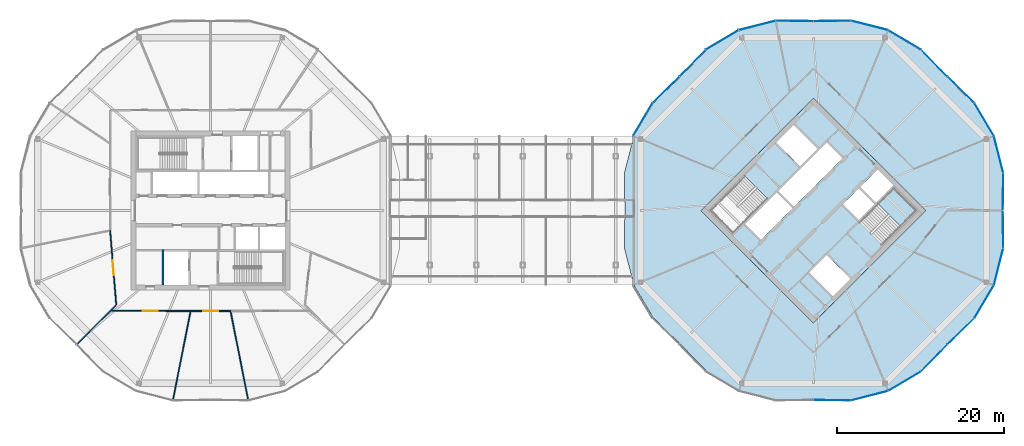
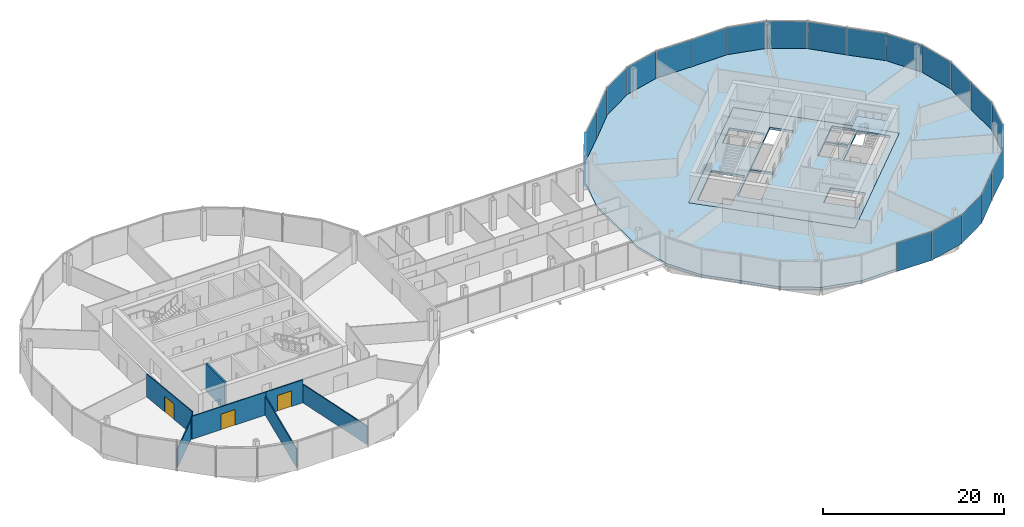
# One storey, part 19 of 26: 22 plates, 7 walls, 3 doors, 3 slabs, 3 openings, 7 elements without a shape of their own.
"""IFC4 building model written with IfcOpenShell, lengths in metres."""

from ifc_helpers import new_model, si_unit, direction, frame, frame_2d, origin, origin_2d, place, context, subcontext, project, spatial, polyline, rectangle, outline, extrude, material, layer, layer_set, type_object, element, fill, aggregate, save


model = new_model("IFC4")

# Units and contexts
model_context = context("Model", 3, precision=1e-05, world=origin(), true_north=direction((0.0, 1.0)))
body_context = subcontext(model_context, "Body", "Model", "MODEL_VIEW")
ifc_project = project(units=[si_unit("LENGTHUNIT", "METRE"), si_unit("AREAUNIT", "SQUARE_METRE"), si_unit("VOLUMEUNIT", "CUBIC_METRE"), si_unit("PLANEANGLEUNIT", "RADIAN"), si_unit("MASSUNIT", "GRAM", prefix="KILO")], contexts=[model_context])

# Site, building, storey
site_placement = place(None, origin())
site = spatial("IfcSite", under=ifc_project, at=site_placement, CompositionType="ELEMENT")
building_placement = place(site_placement, origin())
building = spatial("IfcBuilding", under=site, at=building_placement, Name="Ogive Gate Towers", CompositionType="ELEMENT")
storey_placement = place(building_placement, frame((0.0, 0.0, 148.800048828125)))
storey = spatial("IfcBuildingStorey", under=building, at=storey_placement, Name="L35", CompositionType="ELEMENT", Elevation=148.800048828125)

# Slabs
ifc_material_1 = material(Name="Concrete C40/50", Category="concrete")
ifc_layer_1 = layer(ifc_material_1, 0.300048828125)
ifc_layer_set_1 = layer_set([ifc_layer_1], Name="Core slab C40/50 300 mm")
slab_type_1 = type_object("IfcSlabType", Name="Core slab C40/50 300 mm", PredefinedType="FLOOR", material=ifc_layer_set_1)
slab_1_placement = place(storey_placement, frame((0.0, 0.0, -0.300048828125)))
element("IfcSlab", 1, at=slab_1_placement, inside=storey, type_object=slab_type_1, Name="T2 L35 core slab", PredefinedType="FLOOR", context=body_context, shape_type="SweptSolid", body=[
    extrude(outline(polyline([(36.0, -13.43505859375), (22.56494140625, 0.0), (36.0, 13.43505859375), (49.43505859375, 0.0), (36.0, -13.43505859375)]), holes=[polyline([(29.759765625, -3.482421875), (33.50732421875, 0.26513671875), (31.615966796875, 2.15673828125), (27.868408203125, -1.591064453125), (29.759765625, -3.482421875)]), polyline([(31.792724609375, 2.33349609375), (33.68408203125, 0.44189453125), (39.482421875, 6.240234375), (37.591064453125, 8.131591796875), (31.792724609375, 2.33349609375)]), polyline([(41.3916015625, 2.634033203125), (39.517822265625, 0.760009765625), (41.409423828125, -1.13134765625), (43.283203125, 0.742431640625), (41.3916015625, 2.634033203125)]), polyline([(45.563720703125, 3.02294921875), (43.672119140625, 4.914306640625), (41.568603515625, 2.810791015625), (43.4599609375, 0.919189453125), (45.563720703125, 3.02294921875)]), polyline([(34.408935546875, 5.30322265625), (36.4951171875, 7.389404296875), (33.64892578125, 10.2353515625), (31.56298828125, 8.1494140625), (34.408935546875, 5.30322265625)]), polyline([(35.5048828125, -7.389404296875), (38.35107421875, -10.2353515625), (40.43701171875, -8.1494140625), (37.591064453125, -5.30322265625), (35.5048828125, -7.389404296875)]), polyline([(26.40087890625, -2.70458984375), (30.512939453125, 1.406982421875), (27.80810546875, 4.11181640625), (23.6962890625, 0.0), (26.40087890625, -2.70458984375)]), polyline([(48.3037109375, 0.0), (45.59912109375, 2.70458984375), (41.487060546875, -1.406982421875), (44.19189453125, -4.11181640625), (48.3037109375, 0.0)])]), origin(), (0.0, 0.0, 1.0), 0.300048828125),
])
ifc_material_2 = material(Name="Concrete C35/45", Category="concrete")
ifc_layer_2 = layer(ifc_material_2, 0.300048828125)
ifc_layer_set_2 = layer_set([ifc_layer_2], Name="Floor slab 300")
slab_type_2 = type_object("IfcSlabType", Name="Floor slab 300", PredefinedType="FLOOR", material=ifc_layer_set_2)
slab_2_placement = place(storey_placement, frame((0.0, 0.0, -0.300048828125)))
element("IfcSlab", 2, at=slab_2_placement, inside=storey, type_object=slab_type_2, Name="T2/L35/SSL001", PredefinedType="FLOOR", context=body_context, shape_type="SweptSolid", body=[
    extrude(outline(polyline([(58.57763671875, -4.490966796875), (58.52001953125, 0.0), (58.57763671875, 4.490966796875), (57.452392578125, 8.885986328125), (55.140380859375, 12.789306640625), (51.924072265625, 15.924072265625), (48.789306640625, 19.140380859375), (44.885986328125, 21.452392578125), (40.490966796875, 22.57763671875), (36.0, 22.52001953125), (31.509033203125, 22.57763671875), (27.114013671875, 21.452392578125), (23.210693359375, 19.140380859375), (20.075927734375, 15.924072265625), (16.859619140625, 12.789306640625), (14.547607421875, 8.885986328125), (13.42236328125, 4.490966796875), (13.47998046875, 0.0), (13.42236328125, -4.490966796875), (14.547607421875, -8.885986328125), (16.859619140625, -12.789306640625), (20.075927734375, -15.924072265625), (23.210693359375, -19.140380859375), (27.114013671875, -21.452392578125), (31.509033203125, -22.57763671875), (36.0, -22.52001953125), (40.490966796875, -22.57763671875), (44.885986328125, -21.452392578125), (48.789306640625, -19.140380859375), (51.924072265625, -15.924072265625), (55.140380859375, -12.789306640625), (57.452392578125, -8.885986328125), (58.57763671875, -4.490966796875)]), holes=[polyline([(49.43505859375, 0.0), (36.0, -13.43505859375), (22.56494140625, 0.0), (36.0, 13.43505859375), (49.43505859375, 0.0)])]), origin(), (0.0, 0.0, 1.0), 0.300048828125),
])

# Stair, slab
stair_type = type_object("IfcStairType", Name="Escape stair 1840 wide", PredefinedType="HALF_TURN_STAIR", material=ifc_material_1)
stair_placement = place(storey_placement, origin())
stair = element("IfcStair", 3, at=stair_placement, inside=storey, type_object=stair_type, Name="L35 Escape stair 2", PredefinedType="HALF_TURN_STAIR")
ifc_layer_3 = layer(ifc_material_1, 0.199951171875)
ifc_layer_set_3 = layer_set([ifc_layer_3], Name="Stair landing 200 mm")
slab_type_3 = type_object("IfcSlabType", Name="Stair landing 200 mm", PredefinedType="LANDING", material=ifc_layer_set_3)
slab_3_placement = place(storey_placement, frame((0.0, 0.0, 1.800048828125)))
slab_3 = element("IfcSlab", 4, at=slab_3_placement, type_object=slab_type_3, Name="ST2 landing 1", PredefinedType="LANDING", context=body_context, shape_type="SweptSolid", body=[
    extrude(outline(polyline([(46.413818359375, -1.8896484375), (48.3037109375, 0.0), (45.598876953125, 2.70458984375), (43.709228515625, 0.81494140625), (46.413818359375, -1.8896484375)])), origin(), (0.0, 0.0, 1.0), 0.199951171875),
])
aggregate(stair, [slab_3])

# Curtain wall, plates
ifc_material_3 = material(Name="Pale metal aluminium", Category="aluminium")
curtain_wall_type = type_object("IfcCurtainWallType", Name="Tower unitised wall, high zone", PredefinedType="NOTDEFINED", material=ifc_material_3)
curtain_wall_1_placement = place(storey_placement, origin())
curtain_wall_1 = element("IfcCurtainWall", 5, at=curtain_wall_1_placement, inside=storey, type_object=curtain_wall_type, Name="CW2 T2 ECW01", PredefinedType="NOTDEFINED")
ifc_material_4 = material(Name="Clear glass", Category="glass")
ifc_layer_4 = layer(ifc_material_4, 0.028076171875)
ifc_layer_set_4 = layer_set([ifc_layer_4], Name="Tower unitised wall, high zone glass panel")
plate_type = type_object("IfcPlateType", Name="Tower unitised wall, high zone glass panel", PredefinedType="CURTAIN_PANEL", material=ifc_layer_set_4)
plate_1_placement = place(storey_placement, frame((58.64892578125, 2.24951171875, -0.30029296875), z_axis=(0.0, 0.0, 1.0), x_axis=(0.012827818167, 0.999917720156, 0.0)))
plate_1 = element("IfcPlate", 6, at=plate_1_placement, type_object=plate_type, Name="CW2 glass panel", PredefinedType="CURTAIN_PANEL", context=body_context, shape_type="SweptSolid", body=[
    extrude(rectangle(XDim=4.4453125, YDim=0.028076171875, at=origin_2d()), origin(), (0.0, 0.0, 1.0), 3.904052734375),
])
plate_2_placement = place(storey_placement, frame((58.11181640625, 6.713623046875, -0.30029296875), z_axis=(0.0, 0.0, 1.0), x_axis=(-0.248013628006, 0.968756543371, 0.0)))
plate_2 = element("IfcPlate", 7, at=plate_2_placement, type_object=plate_type, Name="CW2 glass panel", PredefinedType="CURTAIN_PANEL", context=body_context, shape_type="SweptSolid", body=[
    extrude(rectangle(XDim=4.50244140625, YDim=0.028076171875, at=origin_2d()), origin(), (0.0, 0.0, 1.0), 3.904052734375),
])
plate_3_placement = place(storey_placement, frame((56.3828125, 10.88818359375, -0.30029296875), z_axis=(0.0, 0.0, 1.0), x_axis=(-0.509642202947, 0.860386439326, 0.0)))
plate_3 = element("IfcPlate", 8, at=plate_3_placement, type_object=plate_type, Name="CW2 glass panel", PredefinedType="CURTAIN_PANEL", context=body_context, shape_type="SweptSolid", body=[
    extrude(rectangle(XDim=4.50244140625, YDim=0.028076171875, at=origin_2d()), origin(), (0.0, 0.0, 1.0), 3.904052734375),
])
plate_4_placement = place(storey_placement, frame((53.60595703125, 14.424560546875, -0.30029296875), z_axis=(0.0, 0.0, 1.0), x_axis=(-0.716119237764, 0.697977963337, 0.0)))
plate_4 = element("IfcPlate", 9, at=plate_4_placement, type_object=plate_type, Name="CW2 glass panel", PredefinedType="CURTAIN_PANEL", context=body_context, shape_type="SweptSolid", body=[
    extrude(rectangle(XDim=4.4453125, YDim=0.028076171875, at=origin_2d()), origin(), (0.0, 0.0, 1.0), 3.904052734375),
])
aggregate(curtain_wall_1, [plate_1, plate_2, plate_3, plate_4])

curtain_wall_2_placement = place(storey_placement, origin())
curtain_wall_2 = element("IfcCurtainWall", 10, at=curtain_wall_2_placement, inside=storey, type_object=curtain_wall_type, Name="CW2 T2 ECW02", PredefinedType="NOTDEFINED")
plate_5_placement = place(storey_placement, frame((50.424560546875, 17.60595703125, -0.30029296875), z_axis=(0.0, 0.0, 1.0), x_axis=(-0.697977963337, 0.716119237764, 0.0)))
plate_5 = element("IfcPlate", 11, at=plate_5_placement, type_object=plate_type, Name="CW2 glass panel", PredefinedType="CURTAIN_PANEL", context=body_context, shape_type="SweptSolid", body=[
    extrude(rectangle(XDim=4.4453125, YDim=0.028076171875, at=origin_2d()), origin(), (0.0, 0.0, 1.0), 3.904052734375),
])
plate_6_placement = place(storey_placement, frame((46.88818359375, 20.3828125, -0.30029296875), z_axis=(0.0, 0.0, 1.0), x_axis=(-0.860386439326, 0.509642202947, 0.0)))
plate_6 = element("IfcPlate", 12, at=plate_6_placement, type_object=plate_type, Name="CW2 glass panel", PredefinedType="CURTAIN_PANEL", context=body_context, shape_type="SweptSolid", body=[
    extrude(rectangle(XDim=4.50244140625, YDim=0.028076171875, at=origin_2d()), origin(), (0.0, 0.0, 1.0), 3.904052734375),
])
plate_7_placement = place(storey_placement, frame((42.713623046875, 22.11181640625, -0.30029296875), z_axis=(0.0, 0.0, 1.0), x_axis=(-0.968756543371, 0.248013628006, 0.0)))
plate_7 = element("IfcPlate", 13, at=plate_7_placement, type_object=plate_type, Name="CW2 glass panel", PredefinedType="CURTAIN_PANEL", context=body_context, shape_type="SweptSolid", body=[
    extrude(rectangle(XDim=4.50244140625, YDim=0.028076171875, at=origin_2d()), origin(), (0.0, 0.0, 1.0), 3.904052734375),
])
plate_8_placement = place(storey_placement, frame((38.24951171875, 22.64892578125, -0.30029296875), z_axis=(0.0, 0.0, 1.0), x_axis=(-0.999917720156, -0.012827818167, 0.0)))
plate_8 = element("IfcPlate", 14, at=plate_8_placement, type_object=plate_type, Name="CW2 glass panel", PredefinedType="CURTAIN_PANEL", context=body_context, shape_type="SweptSolid", body=[
    extrude(rectangle(XDim=4.4453125, YDim=0.028076171875, at=origin_2d()), origin(), (0.0, 0.0, 1.0), 3.904052734375),
])
aggregate(curtain_wall_2, [plate_5, plate_6, plate_7, plate_8])

curtain_wall_3_placement = place(storey_placement, origin())
curtain_wall_3 = element("IfcCurtainWall", 15, at=curtain_wall_3_placement, inside=storey, type_object=curtain_wall_type, Name="CW2 T2 ECW03", PredefinedType="NOTDEFINED")
plate_9_placement = place(storey_placement, frame((33.75048828125, 22.64892578125, -0.30029296875), z_axis=(0.0, 0.0, 1.0), x_axis=(-0.999917720156, 0.012827818167, 0.0)))
plate_9 = element("IfcPlate", 16, at=plate_9_placement, type_object=plate_type, Name="CW2 glass panel", PredefinedType="CURTAIN_PANEL", context=body_context, shape_type="SweptSolid", body=[
    extrude(rectangle(XDim=4.4453125, YDim=0.028076171875, at=origin_2d()), origin(), (0.0, 0.0, 1.0), 3.904052734375),
])
plate_10_placement = place(storey_placement, frame((29.286376953125, 22.11181640625, -0.30029296875), z_axis=(0.0, 0.0, 1.0), x_axis=(-0.968756543371, -0.248013628006, 0.0)))
plate_10 = element("IfcPlate", 17, at=plate_10_placement, type_object=plate_type, Name="CW2 glass panel", PredefinedType="CURTAIN_PANEL", context=body_context, shape_type="SweptSolid", body=[
    extrude(rectangle(XDim=4.50244140625, YDim=0.028076171875, at=origin_2d()), origin(), (0.0, 0.0, 1.0), 3.904052734375),
])
plate_11_placement = place(storey_placement, frame((25.11181640625, 20.3828125, -0.30029296875), z_axis=(0.0, 0.0, 1.0), x_axis=(-0.860386439326, -0.509642202947, 0.0)))
plate_11 = element("IfcPlate", 18, at=plate_11_placement, type_object=plate_type, Name="CW2 glass panel", PredefinedType="CURTAIN_PANEL", context=body_context, shape_type="SweptSolid", body=[
    extrude(rectangle(XDim=4.50244140625, YDim=0.028076171875, at=origin_2d()), origin(), (0.0, 0.0, 1.0), 3.904052734375),
])
plate_12_placement = place(storey_placement, frame((21.575439453125, 17.60595703125, -0.30029296875), z_axis=(0.0, 0.0, 1.0), x_axis=(-0.697977963337, -0.716119237764, 0.0)))
plate_12 = element("IfcPlate", 19, at=plate_12_placement, type_object=plate_type, Name="CW2 glass panel", PredefinedType="CURTAIN_PANEL", context=body_context, shape_type="SweptSolid", body=[
    extrude(rectangle(XDim=4.4453125, YDim=0.028076171875, at=origin_2d()), origin(), (0.0, 0.0, 1.0), 3.904052734375),
])
aggregate(curtain_wall_3, [plate_9, plate_10, plate_11, plate_12])

curtain_wall_4_placement = place(storey_placement, origin())
curtain_wall_4 = element("IfcCurtainWall", 20, at=curtain_wall_4_placement, inside=storey, type_object=curtain_wall_type, Name="CW2 T2 ECW04", PredefinedType="NOTDEFINED")
plate_13_placement = place(storey_placement, frame((18.39404296875, 14.424560546875, -0.30029296875), z_axis=(0.0, 0.0, 1.0), x_axis=(-0.716119237764, -0.697977963337, 0.0)))
plate_13 = element("IfcPlate", 21, at=plate_13_placement, type_object=plate_type, Name="CW2 glass panel", PredefinedType="CURTAIN_PANEL", context=body_context, shape_type="SweptSolid", body=[
    extrude(rectangle(XDim=4.4453125, YDim=0.028076171875, at=origin_2d()), origin(), (0.0, 0.0, 1.0), 3.904052734375),
])
plate_14_placement = place(storey_placement, frame((15.6162109375, 10.886474609375, -0.30029296875), z_axis=(0.0, 0.0, 1.0), x_axis=(-0.509642202947, -0.860386439326, 0.0)))
plate_14 = element("IfcPlate", 22, at=plate_14_placement, type_object=plate_type, Name="CW2 glass panel", PredefinedType="CURTAIN_PANEL", context=body_context, shape_type="SweptSolid", body=[
    extrude(rectangle(XDim=4.50634765625, YDim=0.028076171875, at=origin_2d()), origin(), (0.0, 0.0, 1.0), 3.904052734375),
])
aggregate(curtain_wall_4, [plate_13, plate_14])

curtain_wall_5_placement = place(storey_placement, origin())
curtain_wall_5 = element("IfcCurtainWall", 23, at=curtain_wall_5_placement, inside=storey, type_object=curtain_wall_type, Name="CW2 T2 ECW07", PredefinedType="NOTDEFINED")
plate_15_placement = place(storey_placement, frame((38.24951171875, -22.64892578125, -0.30029296875), z_axis=(0.0, 0.0, 1.0), x_axis=(0.999917720156, -0.012827818167, 0.0)))
plate_15 = element("IfcPlate", 24, at=plate_15_placement, type_object=plate_type, Name="CW2 glass panel", PredefinedType="CURTAIN_PANEL", context=body_context, shape_type="SweptSolid", body=[
    extrude(rectangle(XDim=4.4453125, YDim=0.028076171875, at=origin_2d()), origin(), (0.0, 0.0, 1.0), 3.904052734375),
])
plate_16_placement = place(storey_placement, frame((42.713623046875, -22.11181640625, -0.30029296875), z_axis=(0.0, 0.0, 1.0), x_axis=(0.968756543371, 0.248013628006, 0.0)))
plate_16 = element("IfcPlate", 25, at=plate_16_placement, type_object=plate_type, Name="CW2 glass panel", PredefinedType="CURTAIN_PANEL", context=body_context, shape_type="SweptSolid", body=[
    extrude(rectangle(XDim=4.50244140625, YDim=0.028076171875, at=origin_2d()), origin(), (0.0, 0.0, 1.0), 3.904052734375),
])
plate_17_placement = place(storey_placement, frame((46.88818359375, -20.3828125, -0.30029296875), z_axis=(0.0, 0.0, 1.0), x_axis=(0.860386439326, 0.509642202947, 0.0)))
plate_17 = element("IfcPlate", 26, at=plate_17_placement, type_object=plate_type, Name="CW2 glass panel", PredefinedType="CURTAIN_PANEL", context=body_context, shape_type="SweptSolid", body=[
    extrude(rectangle(XDim=4.50244140625, YDim=0.028076171875, at=origin_2d()), origin(), (0.0, 0.0, 1.0), 3.904052734375),
])
plate_18_placement = place(storey_placement, frame((50.424560546875, -17.60595703125, -0.30029296875), z_axis=(0.0, 0.0, 1.0), x_axis=(0.697977963337, 0.716119237764, 0.0)))
plate_18 = element("IfcPlate", 27, at=plate_18_placement, type_object=plate_type, Name="CW2 glass panel", PredefinedType="CURTAIN_PANEL", context=body_context, shape_type="SweptSolid", body=[
    extrude(rectangle(XDim=4.4453125, YDim=0.028076171875, at=origin_2d()), origin(), (0.0, 0.0, 1.0), 3.904052734375),
])
aggregate(curtain_wall_5, [plate_15, plate_16, plate_17, plate_18])

curtain_wall_6_placement = place(storey_placement, origin())
curtain_wall_6 = element("IfcCurtainWall", 28, at=curtain_wall_6_placement, inside=storey, type_object=curtain_wall_type, Name="CW2 T2 ECW08", PredefinedType="NOTDEFINED")
plate_19_placement = place(storey_placement, frame((53.60595703125, -14.424560546875, -0.30029296875), z_axis=(0.0, 0.0, 1.0), x_axis=(0.716119237764, 0.697977963337, 0.0)))
plate_19 = element("IfcPlate", 29, at=plate_19_placement, type_object=plate_type, Name="CW2 glass panel", PredefinedType="CURTAIN_PANEL", context=body_context, shape_type="SweptSolid", body=[
    extrude(rectangle(XDim=4.4453125, YDim=0.028076171875, at=origin_2d()), origin(), (0.0, 0.0, 1.0), 3.904052734375),
])
plate_20_placement = place(storey_placement, frame((56.3828125, -10.88818359375, -0.30029296875), z_axis=(0.0, 0.0, 1.0), x_axis=(0.509642202947, 0.860386439326, 0.0)))
plate_20 = element("IfcPlate", 30, at=plate_20_placement, type_object=plate_type, Name="CW2 glass panel", PredefinedType="CURTAIN_PANEL", context=body_context, shape_type="SweptSolid", body=[
    extrude(rectangle(XDim=4.50244140625, YDim=0.028076171875, at=origin_2d()), origin(), (0.0, 0.0, 1.0), 3.904052734375),
])
plate_21_placement = place(storey_placement, frame((58.11181640625, -6.713623046875, -0.30029296875), z_axis=(0.0, 0.0, 1.0), x_axis=(0.248013628006, 0.968756543371, 0.0)))
plate_21 = element("IfcPlate", 31, at=plate_21_placement, type_object=plate_type, Name="CW2 glass panel", PredefinedType="CURTAIN_PANEL", context=body_context, shape_type="SweptSolid", body=[
    extrude(rectangle(XDim=4.50244140625, YDim=0.028076171875, at=origin_2d()), origin(), (0.0, 0.0, 1.0), 3.904052734375),
])
plate_22_placement = place(storey_placement, frame((58.64892578125, -2.24951171875, -0.30029296875), z_axis=(0.0, 0.0, 1.0), x_axis=(-0.012827818167, 0.999917720156, 0.0)))
plate_22 = element("IfcPlate", 32, at=plate_22_placement, type_object=plate_type, Name="CW2 glass panel", PredefinedType="CURTAIN_PANEL", context=body_context, shape_type="SweptSolid", body=[
    extrude(rectangle(XDim=4.4453125, YDim=0.028076171875, at=origin_2d()), origin(), (0.0, 0.0, 1.0), 3.904052734375),
])
aggregate(curtain_wall_6, [plate_19, plate_20, plate_21, plate_22])

# Walls
ifc_material_5 = material(Name="Gypsum board partition")
ifc_layer_5 = layer(ifc_material_5, 0.125)
ifc_layer_set_5 = layer_set([ifc_layer_5], Name="Partition 125")
wall_type_1 = type_object("IfcWallType", Name="Partition 125", PredefinedType="PARTITIONING", material=ifc_layer_set_5)
wall_1_placement = place(storey_placement, frame((-51.92333984375, -15.92333984375, 0.0), z_axis=(0.0, 0.0, 1.0), x_axis=(0.707106781187, 0.707106781187, 0.0)))
element("IfcWall", 33, at=wall_1_placement, inside=storey, type_object=wall_type_1, Name="Partition T1-L35-007", PredefinedType="PARTITIONING", context=body_context, shape_type="SweptSolid", body=[
    extrude(rectangle(XDim=6.526611328125, YDim=0.125, at=frame_2d((3.26318359375, 0.0))), origin(), (0.0, 0.0, 1.0), 2.5),
])
for number, where, z_axis, x_axis, name in (
    (34, (-40.483154296875, -22.57861328125, 0.0), (0.0, 0.0, 1.0), (0.194741539395, 0.980854593115, 0.0), "Partition T1-L35-008"),
    (35, (-31.516845703125, -22.57861328125, 0.0), (0.0, 0.0, 1.0), (-0.194741539395, 0.980854593115, 0.0), "Partition T1-L35-009"),
):
    element("IfcWall", number, at=place(storey_placement, frame(where, z_axis=z_axis, x_axis=x_axis)), inside=storey, type_object=wall_type_1, Name=name, PredefinedType="PARTITIONING", context=body_context, shape_type="SweptSolid", body=[
        extrude(rectangle(XDim=10.726318359375, YDim=0.125, at=frame_2d((5.36328125, 0.0))), origin(), (0.0, 0.0, 1.0), 2.5),
    ])

# Wall, opening, door
wall_2_placement = place(storey_placement, frame((-47.996337890625, -2.382080078125, 0.0), z_axis=(0.0, 0.0, 1.0), x_axis=(0.082125030482, -0.996622034358, 0.0)))
wall_2 = element("IfcWall", 36, at=wall_2_placement, inside=storey, type_object=wall_type_1, Name="Partition T1-L35-019", PredefinedType="PARTITIONING", context=body_context, shape_type="SweptSolid", body=[
    extrude(rectangle(XDim=8.912353515625, YDim=0.125, at=frame_2d((4.4560546875, 0.0))), origin(), (0.0, 0.0, 1.0), 3.099853515625),
])
opening_1_placement = place(wall_2_placement, frame((3.555908203125, 0.0, 0.0)))
opening_1 = element("IfcOpeningElement", 37, at=opening_1_placement, cuts=wall_2, Name="Opening T1-L35-D06", PredefinedType="OPENING", context=body_context, shape_type="SweptSolid", body=[
    extrude(rectangle(XDim=1.800048828125, YDim=2.10009765625, at=frame_2d((0.89990234375, 1.050048828125))), frame((0.0, 0.072509765625, 0.0), z_axis=(0.0, -1.0, 0.0), x_axis=(1.0, 0.0, 0.0)), (0.0, 0.0, 1.0), 0.14501953125),
])
ifc_material_6 = material(Name="Timber door", Category="wood")
door_type = type_object("IfcDoorType", Name="Door pair 1800", OperationType="NOTDEFINED", PredefinedType="DOOR", material=ifc_material_6)
door_1_placement = place(opening_1_placement, origin())
door_1 = element("IfcDoor", 38, at=door_1_placement, inside=storey, type_object=door_type, Name="Door T1-L35-D06", OperationType="DOUBLE_DOOR_DOUBLE_SWING", OverallHeight=2.10009765625, OverallWidth=1.800048828125, PredefinedType="DOOR", context=body_context, shape_type="SweptSolid", body=[
    extrude(rectangle(XDim=1.800048828125, YDim=2.10009765625, at=frame_2d((0.89990234375, 1.050048828125))), frame((0.0, 0.02490234375, 0.0), z_axis=(0.0, -1.0, 0.0), x_axis=(1.0, 0.0, 0.0)), (0.0, 0.0, 1.0), 0.050048828125),
])
fill(opening_1, door_1)

wall_3_placement = place(storey_placement, frame((-47.819580078125, -11.980224609375, 0.0), z_axis=(0.0, 0.0, 1.0), x_axis=(0.999998542451, -0.001707365061, 0.0)))
wall_3 = element("IfcWall", 39, at=wall_3_placement, inside=storey, type_object=wall_type_1, Name="Partition T1-L35-020", PredefinedType="PARTITIONING", context=body_context, shape_type="SweptSolid", body=[
    extrude(rectangle(XDim=9.4375, YDim=0.125, at=frame_2d((4.71875, 0.0))), origin(), (0.0, 0.0, 1.0), 3.099853515625),
])
opening_2_placement = place(wall_3_placement, frame((3.738037109375, 0.0, 0.0)))
opening_2 = element("IfcOpeningElement", 40, at=opening_2_placement, cuts=wall_3, Name="Opening T1-L35-D07", PredefinedType="OPENING", context=body_context, shape_type="SweptSolid", body=[
    extrude(rectangle(XDim=1.800048828125, YDim=2.10009765625, at=frame_2d((0.89990234375, 1.050048828125))), frame((0.0, 0.072509765625, 0.0), z_axis=(0.0, -1.0, 0.0), x_axis=(1.0, 0.0, 0.0)), (0.0, 0.0, 1.0), 0.14501953125),
])
door_2_placement = place(opening_2_placement, origin())
door_2 = element("IfcDoor", 41, at=door_2_placement, inside=storey, type_object=door_type, Name="Door T1-L35-D07", OperationType="DOUBLE_DOOR_DOUBLE_SWING", OverallHeight=2.10009765625, OverallWidth=1.800048828125, PredefinedType="DOOR", context=body_context, shape_type="SweptSolid", body=[
    extrude(rectangle(XDim=1.800048828125, YDim=2.10009765625, at=frame_2d((0.89990234375, 1.050048828125))), frame((0.0, 0.02490234375, 0.0), z_axis=(0.0, -1.0, 0.0), x_axis=(1.0, 0.0, 0.0)), (0.0, 0.0, 1.0), 0.050048828125),
])
fill(opening_2, door_2)

wall_4_placement = place(storey_placement, frame((-38.382080078125, -11.996337890625, 0.0), z_axis=(0.0, 0.0, 1.0), x_axis=(1.0, 0.0, 0.0)))
wall_4 = element("IfcWall", 42, at=wall_4_placement, inside=storey, type_object=wall_type_1, Name="Partition T1-L35-021", PredefinedType="PARTITIONING", context=body_context, shape_type="SweptSolid", body=[
    extrude(rectangle(XDim=4.76416015625, YDim=0.125, at=frame_2d((2.382080078125, 0.0))), origin(), (0.0, 0.0, 1.0), 3.099853515625),
])
opening_3_placement = place(wall_4_placement, frame((1.48193359375, 0.0, 0.0)))
opening_3 = element("IfcOpeningElement", 43, at=opening_3_placement, cuts=wall_4, Name="Opening T1-L35-D08", PredefinedType="OPENING", context=body_context, shape_type="SweptSolid", body=[
    extrude(rectangle(XDim=1.800048828125, YDim=2.10009765625, at=frame_2d((0.89990234375, 1.050048828125))), frame((0.0, 0.072509765625, 0.0), z_axis=(0.0, -1.0, 0.0), x_axis=(1.0, 0.0, 0.0)), (0.0, 0.0, 1.0), 0.14501953125),
])
door_3_placement = place(opening_3_placement, origin())
door_3 = element("IfcDoor", 44, at=door_3_placement, inside=storey, type_object=door_type, Name="Door T1-L35-D08", OperationType="DOUBLE_DOOR_DOUBLE_SWING", OverallHeight=2.10009765625, OverallWidth=1.800048828125, PredefinedType="DOOR", context=body_context, shape_type="SweptSolid", body=[
    extrude(rectangle(XDim=1.800048828125, YDim=2.10009765625, at=frame_2d((0.89990234375, 1.050048828125))), frame((0.0, 0.02490234375, 0.0), z_axis=(0.0, -1.0, 0.0), x_axis=(1.0, 0.0, 0.0)), (0.0, 0.0, 1.0), 0.050048828125),
])
fill(opening_3, door_3)

# Wall
ifc_material_7 = material(Name="Concrete C60/75", Category="concrete")
ifc_layer_6 = layer(ifc_material_7, 0.25)
ifc_layer_set_6 = layer_set([ifc_layer_6], Name="Shaft wall 250 mm")
wall_type_2 = type_object("IfcWallType", Name="Shaft wall 250 mm", PredefinedType="SHEAR", material=ifc_layer_set_6)
wall_5_placement = place(storey_placement, frame((-41.699951171875, -8.89990234375, 0.0), z_axis=(0.0, 0.0, 1.0), x_axis=(0.0, 1.0, 0.0)))
element("IfcWall", 45, at=wall_5_placement, inside=storey, type_object=wall_type_2, Name="T1 L35 Shaft wall 250 mm", PredefinedType="SHEAR", context=body_context, shape_type="SweptSolid", body=[
    extrude(rectangle(XDim=4.224853515625, YDim=0.25, at=frame_2d((2.1123046875, 0.0))), origin(), (0.0, 0.0, 1.0), 3.699951171875),
])

save(model, "model.ifc")
